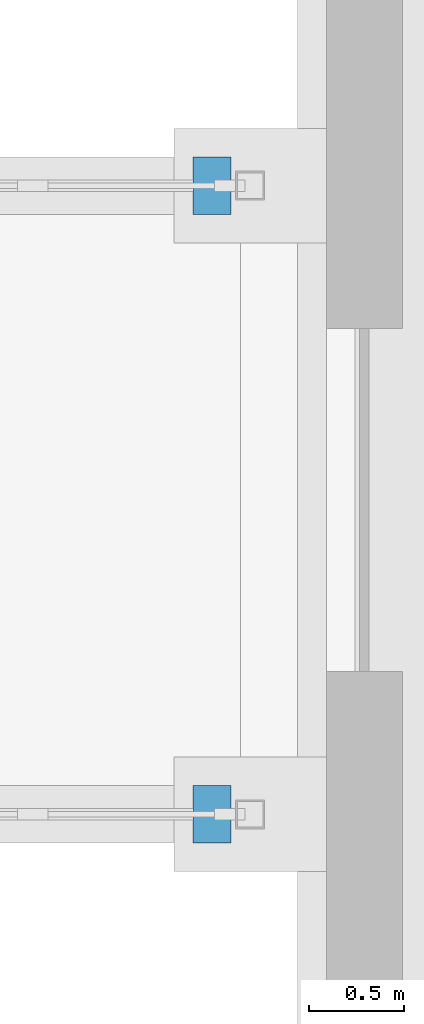
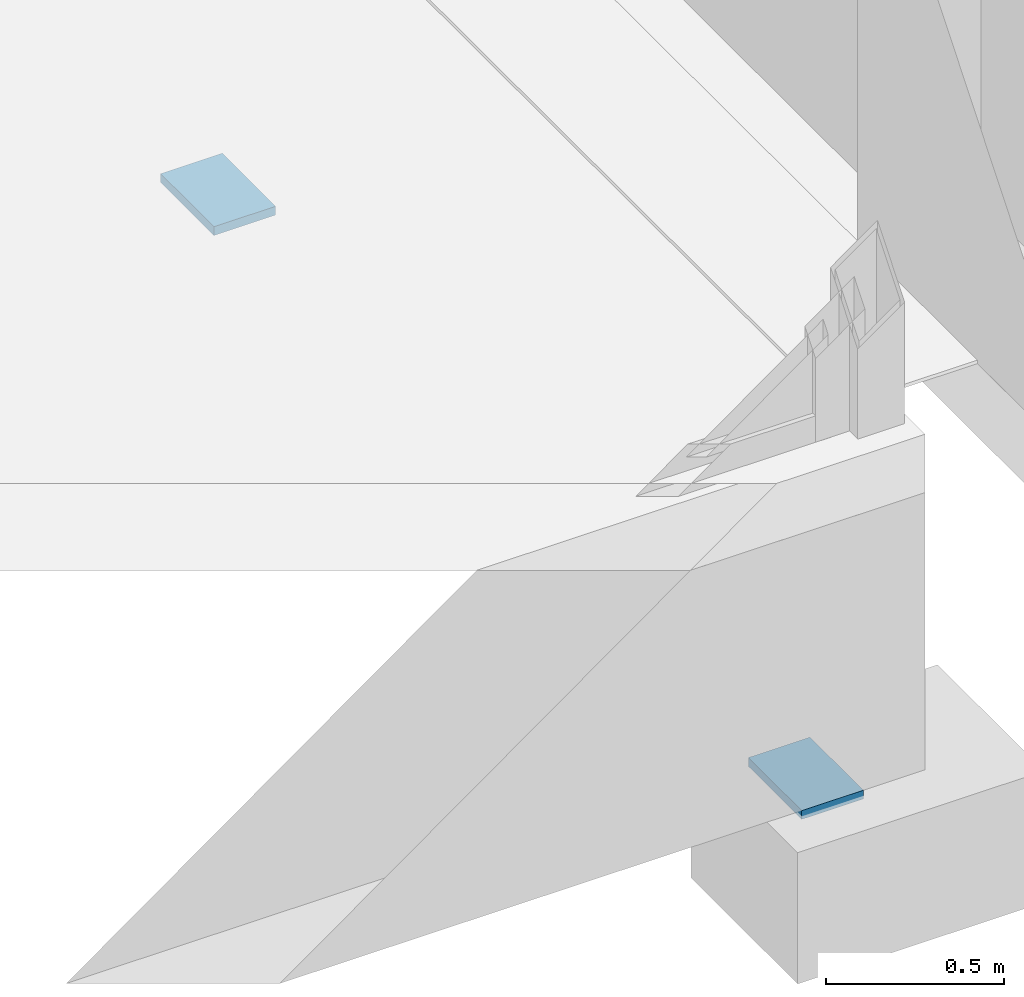
# One storey, part 112 of 131: 2 discrete accessories.
"""IFC4 building model written with IfcOpenShell, lengths in metres."""

from ifc_helpers import new_model, si_unit, direction, frame, origin, origin_2d, place, context, subcontext, project, spatial, rectangle, extrude, material, material_profile, profile_set, type_object, element, save


model = new_model("IFC4")

# Units and contexts
model_context = context("Model", 3, precision=1e-05, world=origin(), true_north=direction((0.0, 1.0)))
body_context = subcontext(model_context, "Body", "Model", "MODEL_VIEW")
ifc_project = project(units=[si_unit("LENGTHUNIT", "METRE"), si_unit("AREAUNIT", "SQUARE_METRE"), si_unit("VOLUMEUNIT", "CUBIC_METRE"), si_unit("PLANEANGLEUNIT", "RADIAN"), si_unit("MASSUNIT", "GRAM", prefix="KILO")], contexts=[model_context])

# Site, building, storey
site_placement = place(None, origin())
site = spatial("IfcSite", under=ifc_project, at=site_placement, CompositionType="ELEMENT")
building_placement = place(site_placement, origin())
building = spatial("IfcBuilding", under=site, at=building_placement, Name="Alderwick Market Hall", CompositionType="ELEMENT")
storey_placement = place(building_placement, frame((0.0, 0.0, 4.800048828125)))
storey = spatial("IfcBuildingStorey", under=building, at=storey_placement, Name="L00", CompositionType="ELEMENT", Elevation=4.800048828125)

# Discrete accessories
ifc_material = material(Name="PTFE-faced stainless steel sliding bearing on steel plate, ASTM A709 Grade 50", Category="steel")
ifc_material_profile = material_profile(ifc_material, rectangle(XDim=0.300048828125, YDim=0.030029296875, at=origin_2d()), Name="P Sliding Bearing 300x200x30")
ifc_profile_set = profile_set([ifc_material_profile], Name="PTFE-faced stainless steel sliding bearing on steel plate, ASTM A709 Grade 50")
discrete_accessory_type = type_object("IfcDiscreteAccessoryType", Name="P Sliding Bearing 300x200x30", PredefinedType="SHOE", material=ifc_profile_set)
for number, where, z_axis, x_axis, name in (
    (1, (157.699951171875, 131.550048828125, -1.1650390625), (1.0, 0.0, 0.0), (0.0, 1.0, 0.0), "Sliding bearing"),
    (2, (157.699951171875, 134.85009765625, -1.1650390625), (1.0, 0.0, 0.0), (0.0, 1.0, 0.0), "Sliding bearing"),
):
    element("IfcDiscreteAccessory", number, at=place(storey_placement, frame(where, z_axis=z_axis, x_axis=x_axis)), inside=storey, type_object=discrete_accessory_type, Name=name, PredefinedType="SHOE", context=body_context, shape_type="SweptSolid", body=[
        extrude(rectangle(XDim=0.300048828125, YDim=0.030029296875, at=origin_2d()), origin(), (0.0, 0.0, 1.0), 0.199951171875),
    ])

save(model, "model.ifc")
